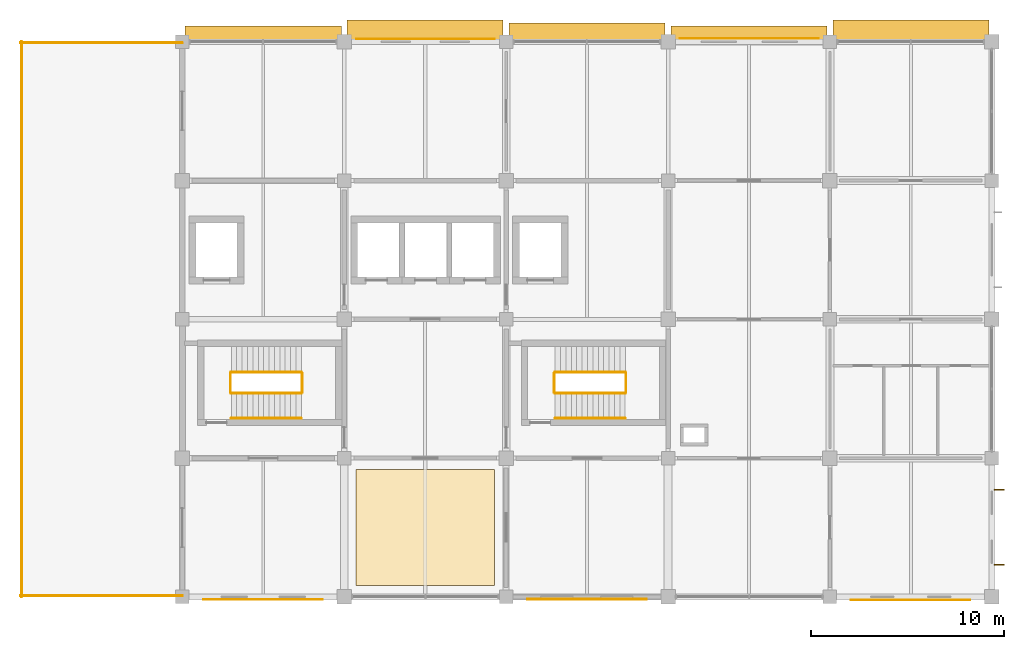
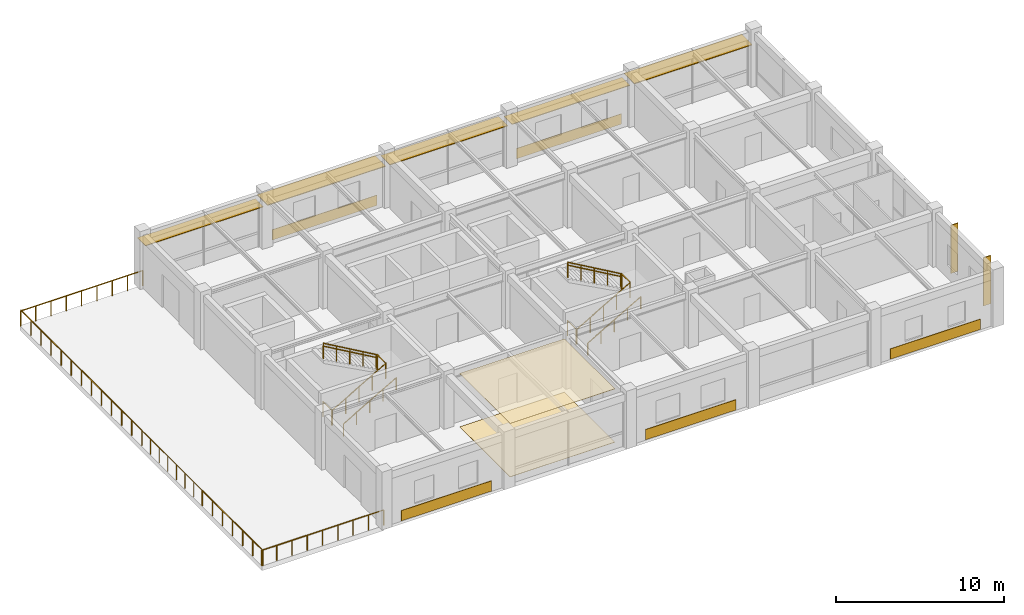
# One storey, part 9 of 10: 18 railings, 7 coverings, 7 shading devices.
"""IFC4 building model written with IfcOpenShell, lengths in metres."""

from ifc_helpers import new_model, si_unit, derived_unit, direction, frame, origin, origin_2d, place, context, subcontext, project, spatial, polyline, rectangle, circle, outline, extrude, material, layer, layer_set, type_object, element, save


model = new_model("IFC4")

# Units and contexts
model_context = context("Model", 3, precision=1e-05, world=origin(), true_north=direction((0.0, 1.0)))
body_context = subcontext(model_context, "Body", "Model", "MODEL_VIEW")
ifc_project = project(units=[si_unit("LENGTHUNIT", "METRE"), si_unit("AREAUNIT", "SQUARE_METRE"), si_unit("VOLUMEUNIT", "CUBIC_METRE"), si_unit("PLANEANGLEUNIT", "RADIAN"), si_unit("MASSUNIT", "GRAM", prefix="KILO"), derived_unit("THERMALTRANSMITTANCEUNIT", [(si_unit("MASSUNIT", "GRAM", prefix="KILO"), 1), (si_unit("TIMEUNIT", "SECOND"), -3), (si_unit("THERMODYNAMICTEMPERATUREUNIT", "KELVIN"), -1)])], contexts=[model_context])

# Site, building, storey
site_placement = place(None, origin())
site = spatial("IfcSite", under=ifc_project, at=site_placement, CompositionType="ELEMENT")
building_placement = place(site_placement, origin())
building = spatial("IfcBuilding", under=site, at=building_placement, Name="Veldstrom Oceanarium and Marine Research Institute", CompositionType="ELEMENT")
storey_placement = place(building_placement, frame((0.0, 0.0, 43.800048828125)))
storey = spatial("IfcBuildingStorey", under=building, at=storey_placement, Name="L09", CompositionType="ELEMENT", Elevation=43.800048828125)

# Coverings
ifc_material_1 = material(Name="Anodised Aluminium Spandrel Rainscreen Cladding", Category="aluminium")
ifc_layer_1 = layer(ifc_material_1, 0.75)
ifc_layer_set_1 = layer_set([ifc_layer_1], Name="ARC-COV-CD1")
covering_type_1 = type_object("IfcCoveringType", Name="ARC-COV-CD1", PredefinedType="CLADDING", material=ifc_layer_set_1)
for number, where, z_axis, x_axis, name in (
    (1, (88.21240234375, 72.138427734375, 0.044921875), (0.0, 0.0, 1.0), (1.0, 0.0, 0.0), "Spandrel Rainscreen Cladding L09-134"),
    (2, (105.012451171875, 72.16845703125, 0.044921875), (0.0, 0.0, 1.0), (1.0, 0.0, 0.0), "Spandrel Rainscreen Cladding L09-136"),
):
    element("IfcCovering", number, at=place(storey_placement, frame(where, z_axis=z_axis, x_axis=x_axis)), inside=storey, type_object=covering_type_1, Name=name, PredefinedType="CLADDING", context=body_context, shape_type="SweptSolid", body=[
        extrude(rectangle(XDim=7.199951171875, YDim=0.034912109375, at=origin_2d()), origin(), (0.0, 0.0, 1.0), 0.75),
    ])
ifc_material_2 = material(Name="Terracotta Spandrel Rainscreen Cladding", Category="masonry")
ifc_layer_2 = layer(ifc_material_2, 0.75)
ifc_layer_set_2 = layer_set([ifc_layer_2], Name="ARC-COV-CD2")
covering_type_2 = type_object("IfcCoveringType", Name="ARC-COV-CD2", PredefinedType="CLADDING", material=ifc_layer_set_2)
for number, where, z_axis, x_axis, name in (
    (3, (79.78759765625, 43.05908203125, 0.044921875), (0.0, 0.0, 1.0), (1.0, 0.0, 0.0), "Spandrel Rainscreen Cladding L09-133"),
    (4, (96.58740234375, 43.076416015625, 0.044921875), (0.0, 0.0, 1.0), (1.0, 0.0, 0.0), "Spandrel Rainscreen Cladding L09-135"),
    (5, (113.387451171875, 43.0390625, 0.044921875), (0.0, 0.0, 1.0), (1.0, 0.0, 0.0), "Spandrel Rainscreen Cladding L09-137"),
):
    element("IfcCovering", number, at=place(storey_placement, frame(where, z_axis=z_axis, x_axis=x_axis)), inside=storey, type_object=covering_type_2, Name=name, PredefinedType="CLADDING", context=body_context, shape_type="SweptSolid", body=[
        extrude(rectangle(XDim=6.199951171875, YDim=0.0400390625, at=origin_2d()), origin(), (0.0, 0.0, 1.0), 0.75),
    ])
ifc_material_3 = material(Name="Mineral-Fibre Acoustic Ceiling Tile", Category="gypsum")
ifc_layer_3 = layer(ifc_material_3, 0.02490234375)
ifc_layer_set_3 = layer_set([ifc_layer_3], Name="ARC-COV-CL1")
covering_type_3 = type_object("IfcCoveringType", Name="ARC-COV-CL1", PredefinedType="CEILING", material=ifc_layer_set_3)
covering_1_placement = place(storey_placement, frame((0.0, 0.0, 3.875)))
element("IfcCovering", 6, at=covering_1_placement, inside=storey, type_object=covering_type_3, Name="Suspended Acoustic Ceiling L09", PredefinedType="CEILING", context=body_context, shape_type="SweptSolid", body=[
    extrude(outline(polyline([(84.60009765625, 43.800048828125), (91.800048828125, 43.800048828125), (91.800048828125, 49.800048828125), (84.60009765625, 49.800048828125), (84.60009765625, 43.800048828125)])), origin(), (0.0, 0.0, 1.0), 0.02490234375),
])
ifc_material_4 = material(Name="Polished Terrazzo and Marine Epoxy Flooring", Category="concrete")
ifc_layer_4 = layer(ifc_material_4, 0.02001953125)
ifc_layer_set_4 = layer_set([ifc_layer_4], Name="ARC-COV-FL1")
covering_type_4 = type_object("IfcCoveringType", Name="ARC-COV-FL1", PredefinedType="FLOORING", material=ifc_layer_set_4)
covering_2_placement = place(storey_placement, origin())
element("IfcCovering", 7, at=covering_2_placement, inside=storey, type_object=covering_type_4, Name="Terrazzo and Marine Epoxy Floor Finish L09", PredefinedType="FLOORING", context=body_context, shape_type="SweptSolid", body=[
    extrude(outline(polyline([(84.60009765625, 43.800048828125), (91.800048828125, 43.800048828125), (91.800048828125, 49.800048828125), (84.60009765625, 49.800048828125), (84.60009765625, 43.800048828125)])), origin(), (0.0, 0.0, 1.0), 0.02001953125),
])

# Railings
ifc_material_5 = material(Name="Duplex Stainless Steel Balustrade", Category="steel")
ifc_layer_5 = layer(ifc_material_5, 0.06005859375)
ifc_layer_set_5 = layer_set([ifc_layer_5], Name="ARC-RLG-GR1")
railing_type_1 = type_object("IfcRailingType", Name="ARC-RLG-GR1", PredefinedType="GUARDRAIL", material=ifc_layer_set_5)
railing_1_placement = place(storey_placement, frame((67.199951171875, 43.260009765625, 0.0)))
element("IfcRailing", 8, at=railing_1_placement, inside=storey, type_object=railing_type_1, Name="Terrace Perimeter Guardrail GR-L09-01", PredefinedType="GUARDRAIL", context=body_context, shape_type="SweptSolid", body=[
    extrude(circle(Radius=0.02392578125, at=origin_2d()), frame((0.0, 0.0, 1.09619140625), z_axis=(1.0, 0.0, 0.0), x_axis=(0.0, 1.0, 0.0)), (0.0, 0.0, 1.0), 8.400146484375),
    extrude(circle(Radius=0.02099609375, at=origin_2d()), origin(), (0.0, 0.0, 1.0), 1.072021484375),
    extrude(circle(Radius=0.02099609375, at=origin_2d()), frame((1.050048828125, 0.0, 0.0)), (0.0, 0.0, 1.0), 1.072021484375),
    extrude(circle(Radius=0.02099609375, at=origin_2d()), frame((2.10009765625, 0.0, 0.0)), (0.0, 0.0, 1.0), 1.072021484375),
    extrude(circle(Radius=0.02099609375, at=origin_2d()), frame((3.150146484375, 0.0, 0.0)), (0.0, 0.0, 1.0), 1.072021484375),
    extrude(circle(Radius=0.02099609375, at=origin_2d()), frame((4.2001953125, 0.0, 0.0)), (0.0, 0.0, 1.0), 1.072021484375),
    extrude(circle(Radius=0.02099609375, at=origin_2d()), frame((5.25, 0.0, 0.0)), (0.0, 0.0, 1.0), 1.072021484375),
    extrude(circle(Radius=0.02099609375, at=origin_2d()), frame((6.300048828125, 0.0, 0.0)), (0.0, 0.0, 1.0), 1.072021484375),
    extrude(circle(Radius=0.02099609375, at=origin_2d()), frame((7.35009765625, 0.0, 0.0)), (0.0, 0.0, 1.0), 1.072021484375),
    extrude(circle(Radius=0.02099609375, at=origin_2d()), frame((8.400146484375, 0.0, 0.0)), (0.0, 0.0, 1.0), 1.072021484375),
])
railing_2_placement = place(storey_placement, frame((67.260009765625, 43.199951171875, 0.0)))
element("IfcRailing", 9, at=railing_2_placement, inside=storey, type_object=railing_type_1, Name="Terrace Perimeter Guardrail GR-L09-02", PredefinedType="GUARDRAIL", context=body_context, shape_type="SweptSolid", body=[
    extrude(circle(Radius=0.02392578125, at=origin_2d()), frame((0.0, 0.0, 1.09619140625), z_axis=(0.0, 1.0, 0.0), x_axis=(-1.0, 0.0, 0.0)), (0.0, 0.0, 1.0), 7.199951171875),
    extrude(circle(Radius=0.02099609375, at=origin_2d()), origin(), (0.0, 0.0, 1.0), 1.072021484375),
    extrude(circle(Radius=0.02099609375, at=origin_2d()), frame((0.0, 1.199951171875, 0.0)), (0.0, 0.0, 1.0), 1.072021484375),
    extrude(circle(Radius=0.02099609375, at=origin_2d()), frame((0.0, 2.39990234375, 0.0)), (0.0, 0.0, 1.0), 1.072021484375),
    extrude(circle(Radius=0.02099609375, at=origin_2d()), frame((0.0, 3.60009765625, 0.0)), (0.0, 0.0, 1.0), 1.072021484375),
    extrude(circle(Radius=0.02099609375, at=origin_2d()), frame((0.0, 4.800048828125, 0.0)), (0.0, 0.0, 1.0), 1.072021484375),
    extrude(circle(Radius=0.02099609375, at=origin_2d()), frame((0.0, 6.0, 0.0)), (0.0, 0.0, 1.0), 1.072021484375),
    extrude(circle(Radius=0.02099609375, at=origin_2d()), frame((0.0, 7.199951171875, 0.0)), (0.0, 0.0, 1.0), 1.072021484375),
])
railing_3_placement = place(storey_placement, frame((67.260009765625, 50.39990234375, 0.0)))
element("IfcRailing", 10, at=railing_3_placement, inside=storey, type_object=railing_type_1, Name="Terrace Perimeter Guardrail GR-L09-03", PredefinedType="GUARDRAIL", context=body_context, shape_type="SweptSolid", body=[
    extrude(circle(Radius=0.02392578125, at=origin_2d()), frame((0.0, 0.0, 1.09619140625), z_axis=(0.0, 1.0, 0.0), x_axis=(-1.0, 0.0, 0.0)), (0.0, 0.0, 1.0), 7.2001953125),
    extrude(circle(Radius=0.02099609375, at=origin_2d()), origin(), (0.0, 0.0, 1.0), 1.072021484375),
    extrude(circle(Radius=0.02099609375, at=origin_2d()), frame((0.0, 1.028564453125, 0.0)), (0.0, 0.0, 1.0), 1.072021484375),
    extrude(circle(Radius=0.02099609375, at=origin_2d()), frame((0.0, 2.05712890625, 0.0)), (0.0, 0.0, 1.0), 1.072021484375),
    extrude(circle(Radius=0.02099609375, at=origin_2d()), frame((0.0, 3.085693359375, 0.0)), (0.0, 0.0, 1.0), 1.072021484375),
    extrude(circle(Radius=0.02099609375, at=origin_2d()), frame((0.0, 4.114501953125, 0.0)), (0.0, 0.0, 1.0), 1.072021484375),
    extrude(circle(Radius=0.02099609375, at=origin_2d()), frame((0.0, 5.14306640625, 0.0)), (0.0, 0.0, 1.0), 1.072021484375),
    extrude(circle(Radius=0.02099609375, at=origin_2d()), frame((0.0, 6.171630859375, 0.0)), (0.0, 0.0, 1.0), 1.072021484375),
    extrude(circle(Radius=0.02099609375, at=origin_2d()), frame((0.0, 7.2001953125, 0.0)), (0.0, 0.0, 1.0), 1.072021484375),
])
railing_4_placement = place(storey_placement, frame((67.260009765625, 57.60009765625, 0.0)))
element("IfcRailing", 11, at=railing_4_placement, inside=storey, type_object=railing_type_1, Name="Terrace Perimeter Guardrail GR-L09-04", PredefinedType="GUARDRAIL", context=body_context, shape_type="SweptSolid", body=[
    extrude(circle(Radius=0.02392578125, at=origin_2d()), frame((0.0, 0.0, 1.09619140625), z_axis=(0.0, 1.0, 0.0), x_axis=(-1.0, 0.0, 0.0)), (0.0, 0.0, 1.0), 7.199951171875),
    extrude(circle(Radius=0.02099609375, at=origin_2d()), origin(), (0.0, 0.0, 1.0), 1.072021484375),
    extrude(circle(Radius=0.02099609375, at=origin_2d()), frame((0.0, 1.199951171875, 0.0)), (0.0, 0.0, 1.0), 1.072021484375),
    extrude(circle(Radius=0.02099609375, at=origin_2d()), frame((0.0, 2.39990234375, 0.0)), (0.0, 0.0, 1.0), 1.072021484375),
    extrude(circle(Radius=0.02099609375, at=origin_2d()), frame((0.0, 3.60009765625, 0.0)), (0.0, 0.0, 1.0), 1.072021484375),
    extrude(circle(Radius=0.02099609375, at=origin_2d()), frame((0.0, 4.800048828125, 0.0)), (0.0, 0.0, 1.0), 1.072021484375),
    extrude(circle(Radius=0.02099609375, at=origin_2d()), frame((0.0, 6.0, 0.0)), (0.0, 0.0, 1.0), 1.072021484375),
    extrude(circle(Radius=0.02099609375, at=origin_2d()), frame((0.0, 7.199951171875, 0.0)), (0.0, 0.0, 1.0), 1.072021484375),
])
railing_5_placement = place(storey_placement, frame((67.199951171875, 71.93994140625, 0.0)))
element("IfcRailing", 12, at=railing_5_placement, inside=storey, type_object=railing_type_1, Name="Terrace Perimeter Guardrail GR-L09-05", PredefinedType="GUARDRAIL", context=body_context, shape_type="SweptSolid", body=[
    extrude(circle(Radius=0.02392578125, at=origin_2d()), frame((0.0, 0.0, 1.09619140625), z_axis=(1.0, 0.0, 0.0), x_axis=(0.0, 1.0, 0.0)), (0.0, 0.0, 1.0), 8.400146484375),
    extrude(circle(Radius=0.02099609375, at=origin_2d()), origin(), (0.0, 0.0, 1.0), 1.072021484375),
    extrude(circle(Radius=0.02099609375, at=origin_2d()), frame((1.050048828125, 0.0, 0.0)), (0.0, 0.0, 1.0), 1.072021484375),
    extrude(circle(Radius=0.02099609375, at=origin_2d()), frame((2.10009765625, 0.0, 0.0)), (0.0, 0.0, 1.0), 1.072021484375),
    extrude(circle(Radius=0.02099609375, at=origin_2d()), frame((3.150146484375, 0.0, 0.0)), (0.0, 0.0, 1.0), 1.072021484375),
    extrude(circle(Radius=0.02099609375, at=origin_2d()), frame((4.2001953125, 0.0, 0.0)), (0.0, 0.0, 1.0), 1.072021484375),
    extrude(circle(Radius=0.02099609375, at=origin_2d()), frame((5.25, 0.0, 0.0)), (0.0, 0.0, 1.0), 1.072021484375),
    extrude(circle(Radius=0.02099609375, at=origin_2d()), frame((6.300048828125, 0.0, 0.0)), (0.0, 0.0, 1.0), 1.072021484375),
    extrude(circle(Radius=0.02099609375, at=origin_2d()), frame((7.35009765625, 0.0, 0.0)), (0.0, 0.0, 1.0), 1.072021484375),
    extrude(circle(Radius=0.02099609375, at=origin_2d()), frame((8.400146484375, 0.0, 0.0)), (0.0, 0.0, 1.0), 1.072021484375),
])
railing_6_placement = place(storey_placement, frame((67.260009765625, 64.800048828125, 0.0)))
element("IfcRailing", 13, at=railing_6_placement, inside=storey, type_object=railing_type_1, Name="Terrace Perimeter Guardrail GR-L09-06", PredefinedType="GUARDRAIL", context=body_context, shape_type="SweptSolid", body=[
    extrude(circle(Radius=0.02392578125, at=origin_2d()), frame((0.0, 0.0, 1.09619140625), z_axis=(0.0, 1.0, 0.0), x_axis=(-1.0, 0.0, 0.0)), (0.0, 0.0, 1.0), 7.199951171875),
    extrude(circle(Radius=0.02099609375, at=origin_2d()), origin(), (0.0, 0.0, 1.0), 1.072021484375),
    extrude(circle(Radius=0.02099609375, at=origin_2d()), frame((0.0, 1.199951171875, 0.0)), (0.0, 0.0, 1.0), 1.072021484375),
    extrude(circle(Radius=0.02099609375, at=origin_2d()), frame((0.0, 2.39990234375, 0.0)), (0.0, 0.0, 1.0), 1.072021484375),
    extrude(circle(Radius=0.02099609375, at=origin_2d()), frame((0.0, 3.60009765625, 0.0)), (0.0, 0.0, 1.0), 1.072021484375),
    extrude(circle(Radius=0.02099609375, at=origin_2d()), frame((0.0, 4.800048828125, 0.0)), (0.0, 0.0, 1.0), 1.072021484375),
    extrude(circle(Radius=0.02099609375, at=origin_2d()), frame((0.0, 6.0, 0.0)), (0.0, 0.0, 1.0), 1.072021484375),
    extrude(circle(Radius=0.02099609375, at=origin_2d()), frame((0.0, 7.199951171875, 0.0)), (0.0, 0.0, 1.0), 1.072021484375),
])
railing_7_placement = place(storey_placement, frame((78.10009765625, 53.800048828125, 0.0)))
element("IfcRailing", 14, at=railing_7_placement, inside=storey, type_object=railing_type_1, Name="Stair Well Landing Guard ST1 L09", PredefinedType="GUARDRAIL", context=body_context, shape_type="SweptSolid", body=[
    extrude(circle(Radius=0.02392578125, at=origin_2d()), frame((0.0, 0.0, 1.09619140625), z_axis=(0.0, 1.0, 0.0), x_axis=(-1.0, 0.0, 0.0)), (0.0, 0.0, 1.0), 1.0),
    extrude(circle(Radius=0.02099609375, at=origin_2d()), origin(), (0.0, 0.0, 1.0), 1.072021484375),
    extrude(circle(Radius=0.02099609375, at=origin_2d()), frame((0.0, 1.0, 0.0)), (0.0, 0.0, 1.0), 1.072021484375),
])
railing_8_placement = place(storey_placement, frame((78.139892578125, 53.760009765625, 0.0)))
element("IfcRailing", 15, at=railing_8_placement, inside=storey, type_object=railing_type_1, Name="Stair Flight Guardrail ST1-L09-1", PredefinedType="GUARDRAIL", context=body_context, shape_type="SweptSolid", body=[
    extrude(circle(Radius=0.02392578125, at=origin_2d()), frame((0.0, 0.0, 1.09619140625), z_axis=(0.866208797654, 0.0, 0.499682217882), x_axis=(0.0, 1.0, 0.0)), (0.0, 0.0, 1.0), 4.202392578125),
    extrude(circle(Radius=0.02099609375, at=origin_2d()), origin(), (0.0, 0.0, 1.0), 1.072021484375),
    extrude(circle(Radius=0.02099609375, at=origin_2d()), frame((0.91015625, 0.0, 0.52490234375)), (0.0, 0.0, 1.0), 1.072021484375),
    extrude(circle(Radius=0.02099609375, at=origin_2d()), frame((1.820068359375, 0.0, 1.0498046875)), (0.0, 0.0, 1.0), 1.072021484375),
    extrude(circle(Radius=0.02099609375, at=origin_2d()), frame((2.72998046875, 0.0, 1.574951171875)), (0.0, 0.0, 1.0), 1.072021484375),
    extrude(circle(Radius=0.02099609375, at=origin_2d()), frame((3.64013671875, 0.0, 2.099853515625)), (0.0, 0.0, 1.0), 1.072021484375),
])
railing_9_placement = place(storey_placement, frame((81.820068359375, 53.800048828125, 2.099853515625)))
element("IfcRailing", 16, at=railing_9_placement, inside=storey, type_object=railing_type_1, Name="Stair Half-Landing Guardrail ST1-L09", PredefinedType="GUARDRAIL", context=body_context, shape_type="SweptSolid", body=[
    extrude(circle(Radius=0.02392578125, at=origin_2d()), frame((0.0, 0.0, 1.09619140625), z_axis=(0.0, 1.0, 0.0), x_axis=(-1.0, 0.0, 0.0)), (0.0, 0.0, 1.0), 1.0),
    extrude(circle(Radius=0.02099609375, at=origin_2d()), origin(), (0.0, 0.0, 1.0), 1.072021484375),
    extrude(circle(Radius=0.02099609375, at=origin_2d()), frame((0.0, 1.0, 0.0)), (0.0, 0.0, 1.0), 1.072021484375),
])
railing_10_placement = place(storey_placement, frame((81.780029296875, 54.840087890625, 2.099853515625)))
element("IfcRailing", 17, at=railing_10_placement, inside=storey, type_object=railing_type_1, Name="Stair Flight Guardrail ST1-L09-2", PredefinedType="GUARDRAIL", context=body_context, shape_type="SweptSolid", body=[
    extrude(circle(Radius=0.02392578125, at=origin_2d()), frame((0.0, 0.0, 1.09619140625), z_axis=(-0.86618365172, 0.0, 0.499725806311), x_axis=(0.0, -1.0, 0.0)), (0.0, 0.0, 1.0), 4.202392578125),
    extrude(circle(Radius=0.02099609375, at=origin_2d()), origin(), (0.0, 0.0, 1.0), 1.072021484375),
    extrude(circle(Radius=0.02099609375, at=origin_2d()), frame((-0.91015625, 0.0, 0.52490234375)), (0.0, 0.0, 1.0), 1.072021484375),
    extrude(circle(Radius=0.02099609375, at=origin_2d()), frame((-1.820068359375, 0.0, 1.050048828125)), (0.0, 0.0, 1.0), 1.072021484375),
    extrude(circle(Radius=0.02099609375, at=origin_2d()), frame((-2.72998046875, 0.0, 1.5751953125)), (0.0, 0.0, 1.0), 1.072021484375),
    extrude(circle(Radius=0.02099609375, at=origin_2d()), frame((-3.64013671875, 0.0, 2.10009765625)), (0.0, 0.0, 1.0), 1.072021484375),
])
railing_11_placement = place(storey_placement, frame((94.89990234375, 53.800048828125, 0.0)))
element("IfcRailing", 18, at=railing_11_placement, inside=storey, type_object=railing_type_1, Name="Stair Well Landing Guard ST2 L09", PredefinedType="GUARDRAIL", context=body_context, shape_type="SweptSolid", body=[
    extrude(circle(Radius=0.02392578125, at=origin_2d()), frame((0.0, 0.0, 1.09619140625), z_axis=(0.0, 1.0, 0.0), x_axis=(-1.0, 0.0, 0.0)), (0.0, 0.0, 1.0), 1.0),
    extrude(circle(Radius=0.02099609375, at=origin_2d()), origin(), (0.0, 0.0, 1.0), 1.072021484375),
    extrude(circle(Radius=0.02099609375, at=origin_2d()), frame((0.0, 1.0, 0.0)), (0.0, 0.0, 1.0), 1.072021484375),
])
railing_12_placement = place(storey_placement, frame((94.93994140625, 53.760009765625, 0.0)))
element("IfcRailing", 19, at=railing_12_placement, inside=storey, type_object=railing_type_1, Name="Stair Flight Guardrail ST2-L09-1", PredefinedType="GUARDRAIL", context=body_context, shape_type="SweptSolid", body=[
    extrude(circle(Radius=0.02392578125, at=origin_2d()), frame((0.0, 0.0, 1.09619140625), z_axis=(0.866208797654, 0.0, 0.499682217882), x_axis=(0.0, 1.0, 0.0)), (0.0, 0.0, 1.0), 4.202392578125),
    extrude(circle(Radius=0.02099609375, at=origin_2d()), origin(), (0.0, 0.0, 1.0), 1.072021484375),
    extrude(circle(Radius=0.02099609375, at=origin_2d()), frame((0.91015625, 0.0, 0.52490234375)), (0.0, 0.0, 1.0), 1.072021484375),
    extrude(circle(Radius=0.02099609375, at=origin_2d()), frame((1.820068359375, 0.0, 1.0498046875)), (0.0, 0.0, 1.0), 1.072021484375),
    extrude(circle(Radius=0.02099609375, at=origin_2d()), frame((2.72998046875, 0.0, 1.574951171875)), (0.0, 0.0, 1.0), 1.072021484375),
    extrude(circle(Radius=0.02099609375, at=origin_2d()), frame((3.64013671875, 0.0, 2.099853515625)), (0.0, 0.0, 1.0), 1.072021484375),
])
railing_13_placement = place(storey_placement, frame((98.6201171875, 53.800048828125, 2.099853515625)))
element("IfcRailing", 20, at=railing_13_placement, inside=storey, type_object=railing_type_1, Name="Stair Half-Landing Guardrail ST2-L09", PredefinedType="GUARDRAIL", context=body_context, shape_type="SweptSolid", body=[
    extrude(circle(Radius=0.02392578125, at=origin_2d()), frame((0.0, 0.0, 1.09619140625), z_axis=(0.0, 1.0, 0.0), x_axis=(-1.0, 0.0, 0.0)), (0.0, 0.0, 1.0), 1.0),
    extrude(circle(Radius=0.02099609375, at=origin_2d()), origin(), (0.0, 0.0, 1.0), 1.072021484375),
    extrude(circle(Radius=0.02099609375, at=origin_2d()), frame((0.0, 1.0, 0.0)), (0.0, 0.0, 1.0), 1.072021484375),
])
railing_14_placement = place(storey_placement, frame((98.580078125, 54.840087890625, 2.099853515625)))
element("IfcRailing", 21, at=railing_14_placement, inside=storey, type_object=railing_type_1, Name="Stair Flight Guardrail ST2-L09-2", PredefinedType="GUARDRAIL", context=body_context, shape_type="SweptSolid", body=[
    extrude(circle(Radius=0.02392578125, at=origin_2d()), frame((0.0, 0.0, 1.09619140625), z_axis=(-0.86618365172, 0.0, 0.499725806311), x_axis=(0.0, -1.0, 0.0)), (0.0, 0.0, 1.0), 4.202392578125),
    extrude(circle(Radius=0.02099609375, at=origin_2d()), origin(), (0.0, 0.0, 1.0), 1.072021484375),
    extrude(circle(Radius=0.02099609375, at=origin_2d()), frame((-0.91015625, 0.0, 0.52490234375)), (0.0, 0.0, 1.0), 1.072021484375),
    extrude(circle(Radius=0.02099609375, at=origin_2d()), frame((-1.820068359375, 0.0, 1.050048828125)), (0.0, 0.0, 1.0), 1.072021484375),
    extrude(circle(Radius=0.02099609375, at=origin_2d()), frame((-2.72998046875, 0.0, 1.5751953125)), (0.0, 0.0, 1.0), 1.072021484375),
    extrude(circle(Radius=0.02099609375, at=origin_2d()), frame((-3.64013671875, 0.0, 2.10009765625)), (0.0, 0.0, 1.0), 1.072021484375),
])
ifc_material_6 = material(Name="Brushed Stainless Steel Handrail", Category="steel")
ifc_layer_6 = layer(ifc_material_6, 0.050048828125)
ifc_layer_set_6 = layer_set([ifc_layer_6], Name="ARC-RLG-HR1")
railing_type_2 = type_object("IfcRailingType", Name="ARC-RLG-HR1", PredefinedType="HANDRAIL", material=ifc_layer_set_6)
railing_15_placement = place(storey_placement, frame((78.139892578125, 52.4599609375, 0.0)))
element("IfcRailing", 22, at=railing_15_placement, inside=storey, type_object=railing_type_2, Name="Stair Wall Handrail ST1-L09-1", PredefinedType="HANDRAIL", context=body_context, shape_type="SweptSolid", body=[
    extrude(circle(Radius=0.02392578125, at=origin_2d()), frame((0.0, 0.0, 0.8759765625), z_axis=(0.866208797654, 0.0, 0.499682217882), x_axis=(0.0, 1.0, 0.0)), (0.0, 0.0, 1.0), 4.202392578125),
    extrude(circle(Radius=0.02099609375, at=origin_2d()), origin(), (0.0, 0.0, 1.0), 0.851806640625),
    extrude(circle(Radius=0.02099609375, at=origin_2d()), frame((0.91015625, 0.0, 0.52490234375)), (0.0, 0.0, 1.0), 0.851806640625),
    extrude(circle(Radius=0.02099609375, at=origin_2d()), frame((1.820068359375, 0.0, 1.0498046875)), (0.0, 0.0, 1.0), 0.851806640625),
    extrude(circle(Radius=0.02099609375, at=origin_2d()), frame((2.72998046875, 0.0, 1.574951171875)), (0.0, 0.0, 1.0), 0.851806640625),
    extrude(circle(Radius=0.02099609375, at=origin_2d()), frame((3.64013671875, 0.0, 2.099853515625)), (0.0, 0.0, 1.0), 0.851806640625),
])
railing_16_placement = place(storey_placement, frame((81.780029296875, 54.860107421875, 2.099853515625)))
element("IfcRailing", 23, at=railing_16_placement, inside=storey, type_object=railing_type_2, Name="Stair Wall Handrail ST1-L09-2", PredefinedType="HANDRAIL", context=body_context, shape_type="SweptSolid", body=[
    extrude(circle(Radius=0.02392578125, at=origin_2d()), frame((0.0, 0.0, 0.8759765625), z_axis=(-0.86618365172, 0.0, 0.499725806311), x_axis=(0.0, -1.0, 0.0)), (0.0, 0.0, 1.0), 4.202392578125),
    extrude(circle(Radius=0.02099609375, at=origin_2d()), origin(), (0.0, 0.0, 1.0), 0.851806640625),
    extrude(circle(Radius=0.02099609375, at=origin_2d()), frame((-0.91015625, 0.0, 0.52490234375)), (0.0, 0.0, 1.0), 0.851806640625),
    extrude(circle(Radius=0.02099609375, at=origin_2d()), frame((-1.820068359375, 0.0, 1.050048828125)), (0.0, 0.0, 1.0), 0.851806640625),
    extrude(circle(Radius=0.02099609375, at=origin_2d()), frame((-2.72998046875, 0.0, 1.5751953125)), (0.0, 0.0, 1.0), 0.851806640625),
    extrude(circle(Radius=0.02099609375, at=origin_2d()), frame((-3.64013671875, 0.0, 2.10009765625)), (0.0, 0.0, 1.0), 0.851806640625),
])
railing_17_placement = place(storey_placement, frame((94.93994140625, 52.4599609375, 0.0)))
element("IfcRailing", 24, at=railing_17_placement, inside=storey, type_object=railing_type_2, Name="Stair Wall Handrail ST2-L09-1", PredefinedType="HANDRAIL", context=body_context, shape_type="SweptSolid", body=[
    extrude(circle(Radius=0.02392578125, at=origin_2d()), frame((0.0, 0.0, 0.8759765625), z_axis=(0.866208797654, 0.0, 0.499682217882), x_axis=(0.0, 1.0, 0.0)), (0.0, 0.0, 1.0), 4.202392578125),
    extrude(circle(Radius=0.02099609375, at=origin_2d()), origin(), (0.0, 0.0, 1.0), 0.851806640625),
    extrude(circle(Radius=0.02099609375, at=origin_2d()), frame((0.91015625, 0.0, 0.52490234375)), (0.0, 0.0, 1.0), 0.851806640625),
    extrude(circle(Radius=0.02099609375, at=origin_2d()), frame((1.820068359375, 0.0, 1.0498046875)), (0.0, 0.0, 1.0), 0.851806640625),
    extrude(circle(Radius=0.02099609375, at=origin_2d()), frame((2.72998046875, 0.0, 1.574951171875)), (0.0, 0.0, 1.0), 0.851806640625),
    extrude(circle(Radius=0.02099609375, at=origin_2d()), frame((3.64013671875, 0.0, 2.099853515625)), (0.0, 0.0, 1.0), 0.851806640625),
])
railing_18_placement = place(storey_placement, frame((98.580078125, 54.860107421875, 2.099853515625)))
element("IfcRailing", 25, at=railing_18_placement, inside=storey, type_object=railing_type_2, Name="Stair Wall Handrail ST2-L09-2", PredefinedType="HANDRAIL", context=body_context, shape_type="SweptSolid", body=[
    extrude(circle(Radius=0.02392578125, at=origin_2d()), frame((0.0, 0.0, 0.8759765625), z_axis=(-0.86618365172, 0.0, 0.499725806311), x_axis=(0.0, -1.0, 0.0)), (0.0, 0.0, 1.0), 4.202392578125),
    extrude(circle(Radius=0.02099609375, at=origin_2d()), origin(), (0.0, 0.0, 1.0), 0.851806640625),
    extrude(circle(Radius=0.02099609375, at=origin_2d()), frame((-0.91015625, 0.0, 0.52490234375)), (0.0, 0.0, 1.0), 0.851806640625),
    extrude(circle(Radius=0.02099609375, at=origin_2d()), frame((-1.820068359375, 0.0, 1.050048828125)), (0.0, 0.0, 1.0), 0.851806640625),
    extrude(circle(Radius=0.02099609375, at=origin_2d()), frame((-2.72998046875, 0.0, 1.5751953125)), (0.0, 0.0, 1.0), 0.851806640625),
    extrude(circle(Radius=0.02099609375, at=origin_2d()), frame((-3.64013671875, 0.0, 2.10009765625)), (0.0, 0.0, 1.0), 0.851806640625),
])

# Shading devices
ifc_material_7 = material(Name="Precast Terracotta Brise-Soleil Louvre", Category="masonry")
ifc_layer_7 = layer(ifc_material_7, 4.199951171875)
ifc_layer_set_7 = layer_set([ifc_layer_7], Name="ARC-SHD-BS03")
shading_device_type_1 = type_object("IfcShadingDeviceType", Name="ARC-SHD-BS03", PredefinedType="JALOUSIE", material=ifc_layer_set_7)
for number, where, z_axis, x_axis, name in (
    (26, (117.97998046875, 44.8701171875, 0.199951171875), (0.0, 0.0, 1.0), (1.0, 0.0, 0.0), "Terracotta Brise-Soleil Louvre L09-138"),
    (27, (117.97998046875, 48.7548828125, 0.199951171875), (0.0, 0.0, 1.0), (1.0, 0.0, 0.0), "Terracotta Brise-Soleil Louvre L09-138"),
):
    element("IfcShadingDevice", number, at=place(storey_placement, frame(where, z_axis=z_axis, x_axis=x_axis)), inside=storey, type_object=shading_device_type_1, Name=name, PredefinedType="JALOUSIE", context=body_context, shape_type="SweptSolid", body=[
        extrude(rectangle(XDim=0.5, YDim=0.06494140625, at=origin_2d()), origin(), (0.0, 0.0, 1.0), 3.5),
    ])
ifc_material_8 = material(Name="Perforated Anodised Aluminium Louvre", Category="aluminium")
ifc_layer_8 = layer(ifc_material_8, 0.054931640625)
ifc_layer_set_8 = layer_set([ifc_layer_8], Name="ARC-SHD-SH01")
shading_device_type_2 = type_object("IfcShadingDeviceType", Name="ARC-SHD-SH01", PredefinedType="AWNING", material=ifc_layer_set_8)
for number, where, z_axis, x_axis, name in (
    (28, (88.199951171875, 72.5048828125, 2.85009765625), (0.0, 0.0, 1.0), (1.0, 0.0, 0.0), "North Solar Canopy Louvre L09-11"),
    (29, (113.39990234375, 72.5048828125, 2.85009765625), (0.0, 0.0, 1.0), (1.0, 0.0, 0.0), "North Solar Canopy Louvre L09-14"),
):
    element("IfcShadingDevice", number, at=place(storey_placement, frame(where, z_axis=z_axis, x_axis=x_axis)), inside=storey, type_object=shading_device_type_2, Name=name, PredefinedType="AWNING", context=body_context, shape_type="SweptSolid", body=[
        extrude(rectangle(XDim=8.10009765625, YDim=1.25, at=origin_2d()), origin(), (0.0, 0.0, 1.0), 0.054931640625),
    ])
ifc_material_9 = material(Name="Perforated Anodised Aluminium Louvre", Category="aluminium")
ifc_layer_9 = layer(ifc_material_9, 0.050048828125)
ifc_layer_set_9 = layer_set([ifc_layer_9], Name="ARC-SHD-SH02")
shading_device_type_3 = type_object("IfcShadingDeviceType", Name="ARC-SHD-SH02", PredefinedType="AWNING", material=ifc_layer_set_9)
shading_device_placement = place(storey_placement, frame((96.60009765625, 72.429931640625, 2.85009765625), z_axis=(0.0, 0.0, 1.0), x_axis=(1.0, 0.0, 0.0)))
element("IfcShadingDevice", 30, at=shading_device_placement, inside=storey, type_object=shading_device_type_3, Name="North Solar Canopy Louvre L09-12", PredefinedType="AWNING", context=body_context, shape_type="SweptSolid", body=[
    extrude(rectangle(XDim=8.10009765625, YDim=1.10009765625, at=origin_2d()), origin(), (0.0, 0.0, 1.0), 0.050048828125),
])
ifc_material_10 = material(Name="Perforated Anodised Aluminium Louvre", Category="aluminium")
ifc_layer_10 = layer(ifc_material_10, 0.044921875)
ifc_layer_set_10 = layer_set([ifc_layer_10], Name="ARC-SHD-SH03")
shading_device_type_4 = type_object("IfcShadingDeviceType", Name="ARC-SHD-SH03", PredefinedType="AWNING", material=ifc_layer_set_10)
for number, where, z_axis, x_axis, name in (
    (31, (79.800048828125, 72.35498046875, 2.85009765625), (0.0, 0.0, 1.0), (1.0, 0.0, 0.0), "North Solar Canopy Louvre L09-10"),
    (32, (105.0, 72.35498046875, 2.85009765625), (0.0, 0.0, 1.0), (1.0, 0.0, 0.0), "North Solar Canopy Louvre L09-13"),
):
    element("IfcShadingDevice", number, at=place(storey_placement, frame(where, z_axis=z_axis, x_axis=x_axis)), inside=storey, type_object=shading_device_type_4, Name=name, PredefinedType="AWNING", context=body_context, shape_type="SweptSolid", body=[
        extrude(rectangle(XDim=8.10009765625, YDim=0.949951171875, at=origin_2d()), origin(), (0.0, 0.0, 1.0), 0.044921875),
    ])

save(model, "model.ifc")
